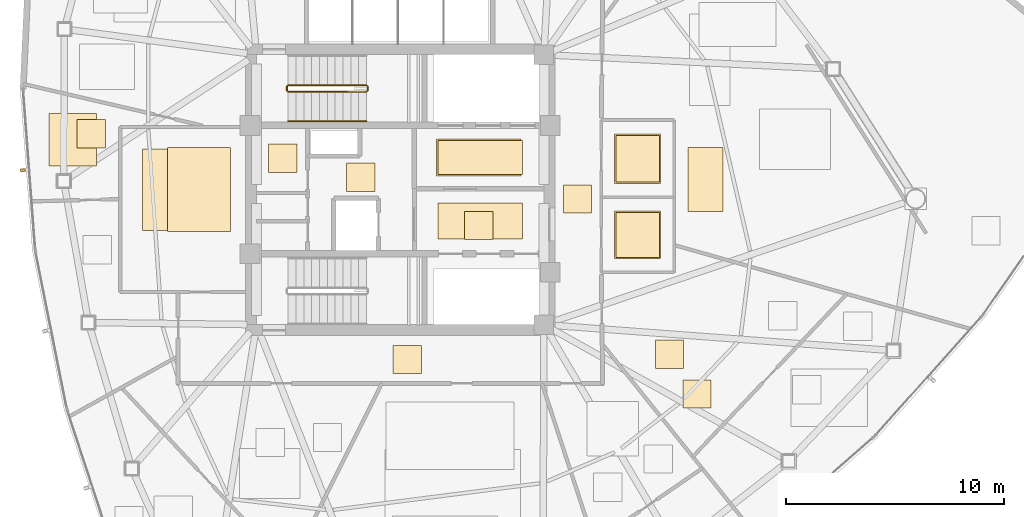
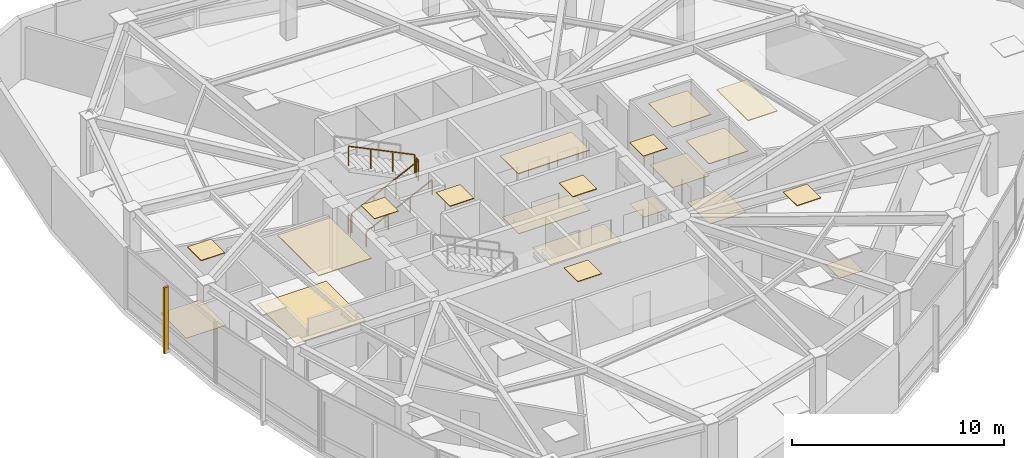
# One storey, part 15 of 17: 20 coverings, 5 railings, 1 shading device.
"""IFC4 building model written with IfcOpenShell, lengths in metres."""

from ifc_helpers import new_model, si_unit, direction, frame, origin, origin_2d, place, context, subcontext, project, spatial, polyline, rectangle, outline, extrude, source, transform, mapped, material, layer, layer_set, type_object, type_shapes, element, save


model = new_model("IFC4")

# Units and contexts
model_context = context("Model", 3, precision=1e-05, world=origin(), true_north=direction((0.0, 1.0)))
body_context = subcontext(model_context, "Body", "Model", "MODEL_VIEW")
ifc_project = project(units=[si_unit("LENGTHUNIT", "METRE"), si_unit("AREAUNIT", "SQUARE_METRE"), si_unit("VOLUMEUNIT", "CUBIC_METRE"), si_unit("PLANEANGLEUNIT", "RADIAN"), si_unit("MASSUNIT", "GRAM", prefix="KILO")], contexts=[model_context])

# Site, building, storey
site_placement = place(None, origin())
site = spatial("IfcSite", under=ifc_project, at=site_placement, CompositionType="ELEMENT")
building_placement = place(site_placement, origin())
building = spatial("IfcBuilding", under=site, at=building_placement, Name="Tavelor Broadcast Tower", CompositionType="ELEMENT")
storey_placement = place(building_placement, frame((0.0, 0.0, 192.60009765625)))
storey = spatial("IfcBuildingStorey", under=building, at=storey_placement, Name="L46", CompositionType="ELEMENT", Elevation=192.60009765625)

# Coverings
ifc_material_1 = material(Name="Copper-Bronze Anodized Aluminium", Category="aluminium")
ifc_layer_1 = layer(ifc_material_1, 0.044921875)
ifc_layer_set_1 = layer_set([ifc_layer_1], Name="Copper-Bronze Anodized Aluminium")
covering_type_1 = type_object("IfcCoveringType", Name="Anodised Bronze Linear Slatted Concourse Ceiling 45 mm", PredefinedType="CEILING", material=ifc_layer_set_1)
covering_1_placement = place(storey_placement, frame((0.0, 0.0, 3.5048828125)))
element("IfcCovering", 1, at=covering_1_placement, inside=storey, type_object=covering_type_1, Name="L46 Suspended Acoustic Ceiling 1912", PredefinedType="CEILING", context=body_context, shape_type="SweptSolid", body=[
    extrude(outline(polyline([(51.659912109375, 45.6318359375), (55.55712890625, 45.6318359375), (55.55712890625, 47.328125), (51.659912109375, 47.328125), (51.659912109375, 45.6318359375)])), origin(), (0.0, 0.0, 1.0), 0.044921875),
])
covering_2_placement = place(storey_placement, frame((0.0, 0.0, 3.5048828125)))
element("IfcCovering", 2, at=covering_2_placement, inside=storey, type_object=covering_type_1, Name="L46 Suspended Acoustic Ceiling 1913", PredefinedType="CEILING", context=body_context, shape_type="SweptSolid", body=[
    extrude(outline(polyline([(52.95361328125, 42.705078125), (54.25341796875, 42.705078125), (54.25341796875, 44.0048828125), (52.95361328125, 44.0048828125), (52.95361328125, 42.705078125)])), origin(), (0.0, 0.0, 1.0), 0.044921875),
])
covering_3_placement = place(storey_placement, frame((0.0, 0.0, 3.5048828125)))
element("IfcCovering", 3, at=covering_3_placement, inside=storey, type_object=covering_type_1, Name="L46 Suspended Acoustic Ceiling 1914", PredefinedType="CEILING", context=body_context, shape_type="SweptSolid", body=[
    extrude(outline(polyline([(47.544921875, 44.919921875), (48.844970703125, 44.919921875), (48.844970703125, 46.219970703125), (47.544921875, 46.219970703125), (47.544921875, 44.919921875)])), origin(), (0.0, 0.0, 1.0), 0.044921875),
])

# Railing
ifc_material_2 = material(Name="Steel S355", Category="steel")
railing_type_1 = type_object("IfcRailingType", Name="Continuous Brushed Stainless Handrail 900 mm", PredefinedType="HANDRAIL", material=ifc_material_2)
railing_1_placement = place(storey_placement, frame((44.85009765625, 48.14990234375, 0.1748046875)))
element("IfcRailing", 4, at=railing_1_placement, inside=storey, type_object=railing_type_1, Name="L46 ST1 stair handrail 1", PredefinedType="HANDRAIL", context=body_context, shape_type="SweptSolid", body=[
    extrude(rectangle(XDim=0.048095703125, YDim=0.048095703125, at=origin_2d()), frame((0.0, 0.0, 0.8759765625), z_axis=(0.899360859046, 0.0, 0.437207096483), x_axis=(0.0, 1.0, 0.0)), (0.0, 0.0, 1.0), 4.002685546875),
    extrude(rectangle(XDim=0.0419921875, YDim=0.0419921875, at=origin_2d()), origin(), (0.0, 0.0, 1.0), 0.851806640625),
    extrude(rectangle(XDim=0.0419921875, YDim=0.0419921875, at=origin_2d()), frame((1.199951171875, 0.0, 0.583251953125)), (0.0, 0.0, 1.0), 0.851806640625),
    extrude(rectangle(XDim=0.0419921875, YDim=0.0419921875, at=origin_2d()), frame((2.39990234375, 0.0, 1.166748046875)), (0.0, 0.0, 1.0), 0.851806640625),
    extrude(rectangle(XDim=0.0419921875, YDim=0.0419921875, at=origin_2d()), frame((3.599853515625, 0.0, 1.75)), (0.0, 0.0, 1.0), 0.851806640625),
])

# Coverings
ifc_material_3 = material(Name="Architectural Anodized Aluminium", Category="aluminium")
ifc_layer_2 = layer(ifc_material_3, 0.034912109375)
ifc_layer_set_2 = layer_set([ifc_layer_2], Name="Architectural Anodized Aluminium")
covering_type_2 = type_object("IfcCoveringType", Name="Demountable Metal Tile Corridor Ceiling 35 mm", PredefinedType="CEILING", material=ifc_layer_set_2)
covering_4_placement = place(storey_placement, frame((0.0, 0.0, 3.514892578125)))
element("IfcCovering", 5, at=covering_4_placement, inside=storey, type_object=covering_type_2, Name="L46 Suspended Acoustic Ceiling 1916", PredefinedType="CEILING", context=body_context, shape_type="SweptSolid", body=[
    extrude(outline(polyline([(57.489990234375, 43.925048828125), (58.7900390625, 43.925048828125), (58.7900390625, 45.22509765625), (57.489990234375, 45.22509765625), (57.489990234375, 43.925048828125)])), origin(), (0.0, 0.0, 1.0), 0.034912109375),
])
covering_5_placement = place(storey_placement, frame((0.0, 0.0, 3.514892578125)))
element("IfcCovering", 6, at=covering_5_placement, inside=storey, type_object=covering_type_2, Name="L46 Suspended Acoustic Ceiling 1917", PredefinedType="CEILING", context=body_context, shape_type="SweptSolid", body=[
    extrude(outline(polyline([(49.669921875, 36.550048828125), (50.9697265625, 36.550048828125), (50.9697265625, 37.85009765625), (49.669921875, 37.85009765625), (49.669921875, 36.550048828125)])), origin(), (0.0, 0.0, 1.0), 0.034912109375),
])
ifc_material_4 = material(Name="Acoustic Nylon Carpet Tile")
ifc_layer_3 = layer(ifc_material_4, 0.02001953125)
ifc_layer_set_3 = layer_set([ifc_layer_3], Name="Acoustic Nylon Carpet Tile")
covering_type_3 = type_object("IfcCoveringType", Name="Heavy-Duty Acoustic Broadcast Carpet Tile 20 mm", PredefinedType="FLOORING", material=ifc_layer_set_3)
covering_6_placement = place(storey_placement, origin())
element("IfcCovering", 7, at=covering_6_placement, inside=storey, type_object=covering_type_3, Name="L46 Broadcast Floor Finish 0692", PredefinedType="FLOORING", context=body_context, shape_type="SweptSolid", body=[
    extrude(outline(polyline([(57.489990234375, 43.925048828125), (58.7900390625, 43.925048828125), (58.7900390625, 45.22509765625), (57.489990234375, 45.22509765625), (57.489990234375, 43.925048828125)])), origin(), (0.0, 0.0, 1.0), 0.02001953125),
])
covering_7_placement = place(storey_placement, origin())
element("IfcCovering", 8, at=covering_7_placement, inside=storey, type_object=covering_type_3, Name="L46 Broadcast Floor Finish 0693", PredefinedType="FLOORING", context=body_context, shape_type="SweptSolid", body=[
    extrude(outline(polyline([(38.15771484375, 43.12890625), (41.942138671875, 43.12890625), (41.942138671875, 46.87060546875), (38.15771484375, 46.87060546875), (38.15771484375, 43.12890625)])), origin(), (0.0, 0.0, 1.0), 0.02001953125),
])
covering_8_placement = place(storey_placement, origin())
element("IfcCovering", 9, at=covering_8_placement, inside=storey, type_object=covering_type_3, Name="L46 Broadcast Floor Finish 0701", PredefinedType="FLOORING", context=body_context, shape_type="SweptSolid", body=[
    extrude(outline(polyline([(33.874755859375, 46.0908203125), (36.0517578125, 46.0908203125), (36.0517578125, 48.504638671875), (33.874755859375, 48.504638671875), (33.874755859375, 46.0908203125)])), origin(), (0.0, 0.0, 1.0), 0.02001953125),
])
covering_9_placement = place(storey_placement, origin())
element("IfcCovering", 10, at=covering_9_placement, inside=storey, type_object=covering_type_3, Name="L46 Broadcast Floor Finish 0705", PredefinedType="FLOORING", context=body_context, shape_type="SweptSolid", body=[
    extrude(outline(polyline([(62.98291015625, 34.969970703125), (64.282958984375, 34.969970703125), (64.282958984375, 36.27001953125), (62.98291015625, 36.27001953125), (62.98291015625, 34.969970703125)])), origin(), (0.0, 0.0, 1.0), 0.02001953125),
])
ifc_material_5 = material(Name="Honed Natural Limestone Tile", Category="masonry")
ifc_layer_4 = layer(ifc_material_5, 0.030029296875)
ifc_layer_set_4 = layer_set([ifc_layer_4], Name="Honed Natural Limestone Tile")
covering_type_4 = type_object("IfcCoveringType", Name="Honed Jerusalem Limestone Concourse Flooring 30 mm", PredefinedType="FLOORING", material=ifc_layer_set_4)
covering_10_placement = place(storey_placement, origin())
element("IfcCovering", 11, at=covering_10_placement, inside=storey, type_object=covering_type_4, Name="L46 Broadcast Floor Finish 0690", PredefinedType="FLOORING", context=body_context, shape_type="SweptSolid", body=[
    extrude(outline(polyline([(51.7373046875, 45.689453125), (55.62255859375, 45.689453125), (55.62255859375, 47.2705078125), (51.7373046875, 47.2705078125), (51.7373046875, 45.689453125)])), origin(), (0.0, 0.0, 1.0), 0.02978515625),
])
covering_11_placement = place(storey_placement, origin())
element("IfcCovering", 12, at=covering_11_placement, inside=storey, type_object=covering_type_4, Name="L46 Broadcast Floor Finish 0691", PredefinedType="FLOORING", context=body_context, shape_type="SweptSolid", body=[
    extrude(outline(polyline([(51.728759765625, 42.743408203125), (55.62109375, 42.743408203125), (55.62109375, 44.396484375), (51.728759765625, 44.396484375), (51.728759765625, 42.743408203125)])), origin(), (0.0, 0.0, 1.0), 0.02978515625),
])
ifc_layer_5 = layer(ifc_material_3, 0.030029296875)
ifc_layer_set_5 = layer_set([ifc_layer_5], Name="Architectural Anodized Aluminium")
covering_type_5 = type_object("IfcCoveringType", Name="Moisture-Resistant Washroom Ceiling 30 mm", PredefinedType="CEILING", material=ifc_layer_set_5)
covering_12_placement = place(storey_placement, frame((0.0, 0.0, 3.52001953125)))
element("IfcCovering", 13, at=covering_12_placement, inside=storey, type_object=covering_type_5, Name="L46 Suspended Acoustic Ceiling 1915", PredefinedType="CEILING", context=body_context, shape_type="SweptSolid", body=[
    extrude(outline(polyline([(43.951416015625, 45.794921875), (45.25146484375, 45.794921875), (45.25146484375, 47.094970703125), (43.951416015625, 47.094970703125), (43.951416015625, 45.794921875)])), origin(), (0.0, 0.0, 1.0), 0.02978515625),
])
covering_13_placement = place(storey_placement, frame((0.0, 0.0, 3.52001953125)))
element("IfcCovering", 14, at=covering_13_placement, inside=storey, type_object=covering_type_5, Name="L46 Suspended Acoustic Ceiling 1919", PredefinedType="CEILING", context=body_context, shape_type="SweptSolid", body=[
    extrude(outline(polyline([(59.85302734375, 41.828369140625), (61.967041015625, 41.828369140625), (61.967041015625, 44.021484375), (59.85302734375, 44.021484375), (59.85302734375, 41.828369140625)])), origin(), (0.0, 0.0, 1.0), 0.02978515625),
])
covering_14_placement = place(storey_placement, frame((0.0, 0.0, 3.52001953125)))
element("IfcCovering", 15, at=covering_14_placement, inside=storey, type_object=covering_type_5, Name="L46 Suspended Acoustic Ceiling 1920", PredefinedType="CEILING", context=body_context, shape_type="SweptSolid", body=[
    extrude(outline(polyline([(59.85302734375, 45.29248046875), (61.967041015625, 45.29248046875), (61.967041015625, 47.5576171875), (59.85302734375, 47.5576171875), (59.85302734375, 45.29248046875)])), origin(), (0.0, 0.0, 1.0), 0.02978515625),
])
ifc_material_6 = material(Name="Slip-Resistant Porcelain Tile")
ifc_layer_6 = layer(ifc_material_6, 0.02490234375)
ifc_layer_set_6 = layer_set([ifc_layer_6], Name="Slip-Resistant Porcelain Tile")
covering_type_6 = type_object("IfcCoveringType", Name="Slip-Resistant Porcelain Wet-Area Floor Tile 25 mm", PredefinedType="FLOORING", material=ifc_layer_set_6)
covering_15_placement = place(storey_placement, origin())
element("IfcCovering", 16, at=covering_15_placement, inside=storey, type_object=covering_type_6, Name="L46 Broadcast Floor Finish 0694", PredefinedType="FLOORING", context=body_context, shape_type="SweptSolid", body=[
    extrude(outline(polyline([(59.91064453125, 41.885986328125), (61.909423828125, 41.885986328125), (61.909423828125, 43.964111328125), (59.91064453125, 43.964111328125), (59.91064453125, 41.885986328125)])), origin(), (0.0, 0.0, 1.0), 0.02490234375),
])
covering_16_placement = place(storey_placement, origin())
element("IfcCovering", 17, at=covering_16_placement, inside=storey, type_object=covering_type_6, Name="L46 Broadcast Floor Finish 0695", PredefinedType="FLOORING", context=body_context, shape_type="SweptSolid", body=[
    extrude(outline(polyline([(59.91064453125, 45.35009765625), (61.909423828125, 45.35009765625), (61.909423828125, 47.5), (59.91064453125, 47.5), (59.91064453125, 45.35009765625)])), origin(), (0.0, 0.0, 1.0), 0.02490234375),
])

# Railings
railing_type_2 = type_object("IfcRailingType", Name="Stairwell Steel Safety Guardrail 1150 mm", PredefinedType="GUARDRAIL", material=ifc_material_2)
railing_2_placement = place(storey_placement, frame((44.85009765625, 49.5, 0.1748046875)))
element("IfcRailing", 18, at=railing_2_placement, inside=storey, type_object=railing_type_2, Name="L46 ST1 stair guard 1", PredefinedType="GUARDRAIL", context=body_context, shape_type="SweptSolid", body=[
    extrude(rectangle(XDim=0.048095703125, YDim=0.048095703125, at=origin_2d()), frame((0.0, 0.0, 1.1259765625), z_axis=(0.899360859046, 0.0, 0.437207096483), x_axis=(0.0, 1.0, 0.0)), (0.0, 0.0, 1.0), 4.002685546875),
    extrude(rectangle(XDim=0.0419921875, YDim=0.0419921875, at=origin_2d()), origin(), (0.0, 0.0, 1.0), 1.101806640625),
    extrude(rectangle(XDim=0.0419921875, YDim=0.0419921875, at=origin_2d()), frame((1.199951171875, 0.0, 0.583251953125)), (0.0, 0.0, 1.0), 1.101806640625),
    extrude(rectangle(XDim=0.0419921875, YDim=0.0419921875, at=origin_2d()), frame((2.39990234375, 0.0, 1.166748046875)), (0.0, 0.0, 1.0), 1.101806640625),
    extrude(rectangle(XDim=0.0419921875, YDim=0.0419921875, at=origin_2d()), frame((3.599853515625, 0.0, 1.75)), (0.0, 0.0, 1.0), 1.101806640625),
])
railing_3_placement = place(storey_placement, frame((48.5, 49.550048828125, 1.9248046875)))
element("IfcRailing", 19, at=railing_3_placement, inside=storey, type_object=railing_type_2, Name="L46 ST1 stair guard 2", PredefinedType="GUARDRAIL", context=body_context, shape_type="SweptSolid", body=[
    extrude(rectangle(XDim=0.048095703125, YDim=0.048095703125, at=origin_2d()), frame((0.0, 0.0, 1.1259765625), z_axis=(0.0, 1.0, 0.0), x_axis=(-1.0, 0.0, 0.0)), (0.0, 0.0, 1.0), 0.199951171875),
    extrude(rectangle(XDim=0.0419921875, YDim=0.0419921875, at=origin_2d()), origin(), (0.0, 0.0, 1.0), 1.101806640625),
    extrude(rectangle(XDim=0.0419921875, YDim=0.0419921875, at=origin_2d()), frame((0.0, 0.199951171875, 0.0)), (0.0, 0.0, 1.0), 1.101806640625),
])
railing_4_placement = place(storey_placement, frame((48.449951171875, 49.800048828125, 2.099853515625)))
element("IfcRailing", 20, at=railing_4_placement, inside=storey, type_object=railing_type_2, Name="L46 ST1 stair guard 3", PredefinedType="GUARDRAIL", context=body_context, shape_type="SweptSolid", body=[
    extrude(rectangle(XDim=0.048095703125, YDim=0.048095703125, at=origin_2d()), frame((0.0, 0.0, 1.1259765625), z_axis=(-0.899360859046, 0.0, 0.437207096483), x_axis=(0.0, -1.0, 0.0)), (0.0, 0.0, 1.0), 4.002685546875),
    extrude(rectangle(XDim=0.0419921875, YDim=0.0419921875, at=origin_2d()), origin(), (0.0, 0.0, 1.0), 1.101806640625),
    extrude(rectangle(XDim=0.0419921875, YDim=0.0419921875, at=origin_2d()), frame((-1.199951171875, 0.0, 0.583251953125)), (0.0, 0.0, 1.0), 1.101806640625),
    extrude(rectangle(XDim=0.0419921875, YDim=0.0419921875, at=origin_2d()), frame((-2.39990234375, 0.0, 1.166748046875)), (0.0, 0.0, 1.0), 1.101806640625),
    extrude(rectangle(XDim=0.0419921875, YDim=0.0419921875, at=origin_2d()), frame((-3.599853515625, 0.0, 1.75)), (0.0, 0.0, 1.0), 1.101806640625),
])
railing_5_placement = place(storey_placement, frame((44.800048828125, 49.550048828125, 0.0)))
element("IfcRailing", 21, at=railing_5_placement, inside=storey, type_object=railing_type_2, Name="L46 ST1 stair guard 4", PredefinedType="GUARDRAIL", context=body_context, shape_type="SweptSolid", body=[
    extrude(rectangle(XDim=0.048095703125, YDim=0.048095703125, at=origin_2d()), frame((0.0, 0.0, 1.1259765625), z_axis=(0.0, 1.0, 0.0), x_axis=(-1.0, 0.0, 0.0)), (0.0, 0.0, 1.0), 0.199951171875),
    extrude(rectangle(XDim=0.0419921875, YDim=0.0419921875, at=origin_2d()), origin(), (0.0, 0.0, 1.0), 1.101806640625),
    extrude(rectangle(XDim=0.0419921875, YDim=0.0419921875, at=origin_2d()), frame((0.0, 0.199951171875, 0.0)), (0.0, 0.0, 1.0), 1.101806640625),
])

# Coverings
ifc_material_7 = material(Name="Acoustic Mineral Fibre Tile")
ifc_layer_7 = layer(ifc_material_7, 0.0400390625)
ifc_layer_set_7 = layer_set([ifc_layer_7], Name="Acoustic Mineral Fibre Tile")
covering_type_7 = type_object("IfcCoveringType", Name="Suspended Acoustic Mineral-Fibre Office Ceiling 40 mm", PredefinedType="CEILING", material=ifc_layer_set_7)
covering_17_placement = place(storey_placement, frame((0.0, 0.0, 3.510009765625)))
element("IfcCovering", 22, at=covering_17_placement, inside=storey, type_object=covering_type_7, Name="L46 Suspended Acoustic Ceiling 1918", PredefinedType="CEILING", context=body_context, shape_type="SweptSolid", body=[
    extrude(outline(polyline([(39.321533203125, 43.0712890625), (42.198486328125, 43.0712890625), (42.198486328125, 46.927978515625), (39.321533203125, 46.927978515625), (39.321533203125, 43.0712890625)])), origin(), (0.0, 0.0, 1.0), 0.039794921875),
])
covering_18_placement = place(storey_placement, frame((0.0, 0.0, 3.510009765625)))
element("IfcCovering", 23, at=covering_18_placement, inside=storey, type_object=covering_type_7, Name="L46 Suspended Acoustic Ceiling 1925", PredefinedType="CEILING", context=body_context, shape_type="SweptSolid", body=[
    extrude(outline(polyline([(63.21630859375, 43.990478515625), (64.821044921875, 43.990478515625), (64.821044921875, 46.947509765625), (63.21630859375, 46.947509765625), (63.21630859375, 43.990478515625)])), origin(), (0.0, 0.0, 1.0), 0.039794921875),
])
covering_19_placement = place(storey_placement, frame((0.0, 0.0, 3.510009765625)))
element("IfcCovering", 24, at=covering_19_placement, inside=storey, type_object=covering_type_7, Name="L46 Suspended Acoustic Ceiling 1935", PredefinedType="CEILING", context=body_context, shape_type="SweptSolid", body=[
    extrude(outline(polyline([(35.16162109375, 46.916259765625), (36.461669921875, 46.916259765625), (36.461669921875, 48.21630859375), (35.16162109375, 48.21630859375), (35.16162109375, 46.916259765625)])), origin(), (0.0, 0.0, 1.0), 0.039794921875),
])
covering_20_placement = place(storey_placement, frame((0.0, 0.0, 3.510009765625)))
element("IfcCovering", 25, at=covering_20_placement, inside=storey, type_object=covering_type_7, Name="L46 Suspended Acoustic Ceiling 1949", PredefinedType="CEILING", context=body_context, shape_type="SweptSolid", body=[
    extrude(outline(polyline([(61.722900390625, 36.79150390625), (63.02294921875, 36.79150390625), (63.02294921875, 38.091552734375), (61.722900390625, 38.091552734375), (61.722900390625, 36.79150390625)])), origin(), (0.0, 0.0, 1.0), 0.039794921875),
])

# Shading device
ifc_material_8 = material(Name="Kiln-Fired Glazed Terracotta", Category="masonry")
shading_device_type = type_object("IfcShadingDeviceType", Name="Extruded Terracotta Baguette Sun-Screen 110x240", PredefinedType="JALOUSIE", material=ifc_material_8)
shared_shape = source(origin(), body_context, "Body", "SweptSolid", [
    extrude(rectangle(XDim=0.110107421875, YDim=0.239990234375, at=origin_2d()), origin(), (0.0, 0.0, 1.0), 3.7900390625),
])
type_shapes(shading_device_type, [shared_shape])
shading_device_placement = place(storey_placement, frame((32.66015625, 45.89599609375, -0.260009765625), z_axis=(0.0, 0.0, 1.0), x_axis=(0.075326805528, -0.997158900261, 0.0)))
element("IfcShadingDevice", 26, at=shading_device_placement, inside=storey, type_object=shading_device_type, Name="L46 Terracotta Baguette Fin 481", PredefinedType="JALOUSIE", context=body_context, shape_type="MappedRepresentation", body=[
    mapped(shared_shape, transform((0.0, 0.0, 0.0), scale=1.0)),
])

save(model, "model.ifc")
